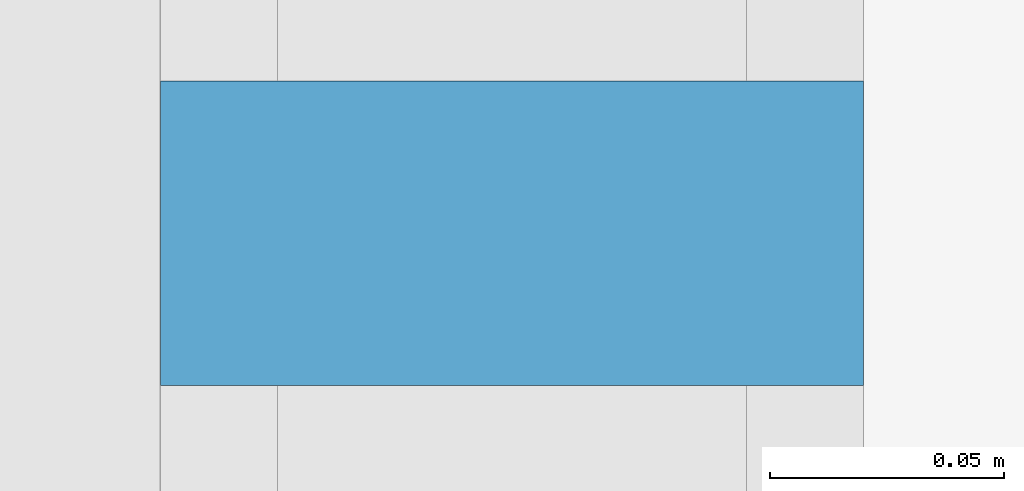
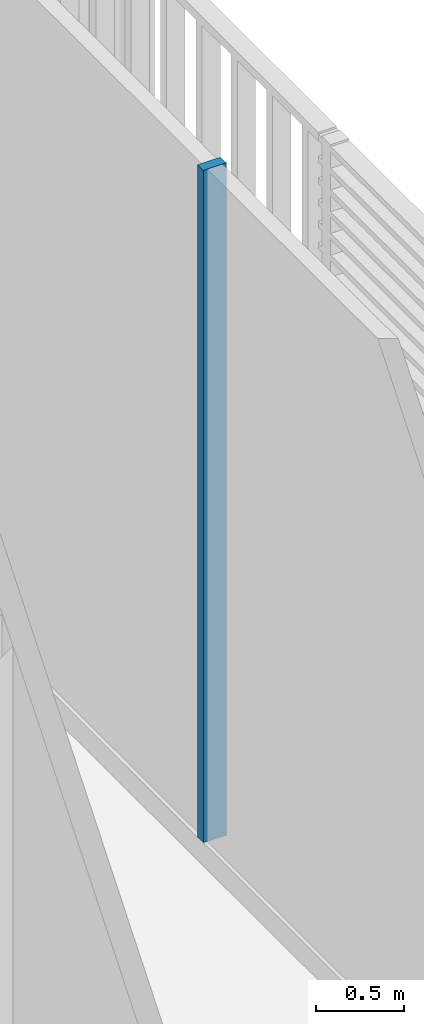
# One storey, part 11 of 22: 1 member, 1 element without a shape of its own.
"""IFC4 building model written with IfcOpenShell, lengths in metres."""

import ifcopenshell
import ifcopenshell.guid

model = None  # the IFC model being written
_history = None  # IfcOwnerHistory: only IFC2X3 demands one
_inside = {}  # id of a spatial element -> (the spatial element, [elements in it])
_under = {}  # id of a project, library or spatial element -> (it, [spatial elements below it])
_declared = {}  # id of a project -> (the project, [libraries it declares])
_typed = {}  # id of a type object -> (the type object, [elements of that type])
_made_of = {}  # id of a material, layer set ... -> (it, [elements and type objects made of it])


def new_model(schema):
    """Start an empty IFC model of exactly this schema.

    Asked for "IFC4X3", IfcOpenShell would pick the latest addendum, in which some entities
    have other attributes; the version numbers below select the first issue.
    IFC2X3 requires an IfcOwnerHistory on every rooted entity: one is made here for all.
    """
    global model, _history
    if schema == "IFC4X3":
        model = ifcopenshell.file(schema_version=(4, 3, 0, 0))
    else:
        model = ifcopenshell.file(schema=schema)
    _inside.clear()
    _under.clear()
    _declared.clear()
    _typed.clear()
    _made_of.clear()
    _history = None
    if model.schema == "IFC2X3":
        org = make("IfcOrganization", Name="unknown")
        user = make(
            "IfcPersonAndOrganization",
            ThePerson=make("IfcPerson", FamilyName="unknown"),
            TheOrganization=org,
        )
        app = make(
            "IfcApplication",
            ApplicationDeveloper=org,
            Version="unknown",
            ApplicationFullName="unknown",
            ApplicationIdentifier="unknown",
        )
        _history = make(
            "IfcOwnerHistory",
            OwningUser=user,
            OwningApplication=app,
            ChangeAction="ADDED",
            CreationDate=0,
        )
    return model


def make(cls, **values):
    """One entity of the class cls with the attributes given. An attribute that is None is left unset."""
    return model.create_entity(
        cls, **{name: value for name, value in values.items() if value is not None}
    )


def rooted(cls, **values):
    """An entity with a GlobalId (a new one), such as an element, a storey or a relation."""
    return make(cls, GlobalId=ifcopenshell.guid.new(), OwnerHistory=_history, **values)


def si_unit(unit_type, name, prefix=None):
    """IfcSIUnit, for example si_unit("LENGTHUNIT", "METRE", prefix="MILLI")."""
    return make("IfcSIUnit", UnitType=unit_type, Prefix=prefix, Name=name)


def assignment(units):
    """IfcUnitAssignment: the units of a project."""
    return None if units is None else make("IfcUnitAssignment", Units=units)


def point(xyz):
    """IfcCartesianPoint."""
    return None if xyz is None else make("IfcCartesianPoint", Coordinates=xyz)


def direction(xyz):
    """IfcDirection."""
    return None if xyz is None else make("IfcDirection", DirectionRatios=xyz)


def frame(location, z_axis=None, x_axis=None):
    """IfcAxis2Placement3D, a coordinate frame: its origin and axes. An axis left out is left unset."""
    return make(
        "IfcAxis2Placement3D",
        Location=point(location),
        Axis=direction(z_axis),
        RefDirection=direction(x_axis),
    )


def frame_2d(location, x_axis=None):
    """IfcAxis2Placement2D, a coordinate frame in the plane: its origin and x axis."""
    return make(
        "IfcAxis2Placement2D", Location=point(location), RefDirection=direction(x_axis)
    )


def origin():
    """The frame at (0, 0, 0) with its axes left unset."""
    return frame((0.0, 0.0, 0.0))


def origin_2d():
    """The frame at (0, 0) in the plane with its x axis left unset."""
    return frame_2d((0.0, 0.0))


def place(relative_to, where):
    """IfcLocalPlacement: puts the frame where relative to a parent placement (None: the world)."""
    return make(
        "IfcLocalPlacement", PlacementRelTo=relative_to, RelativePlacement=where
    )


def context(
    kind, dimensions, precision=None, world=None, true_north=None, identifier=None
):
    """IfcGeometricRepresentationContext, for example the 3D "Model" context."""
    return make(
        "IfcGeometricRepresentationContext",
        ContextIdentifier=identifier,
        ContextType=kind,
        CoordinateSpaceDimension=dimensions,
        Precision=precision,
        WorldCoordinateSystem=world,
        TrueNorth=true_north,
    )


def subcontext(parent, identifier, kind, view, scale=None):
    """IfcGeometricRepresentationSubContext, for example "Body" below "Model"."""
    return make(
        "IfcGeometricRepresentationSubContext",
        ContextIdentifier=identifier,
        ContextType=kind,
        ParentContext=parent,
        TargetScale=scale,
        TargetView=view,
    )


def project(units=None, contexts=None):
    """IfcProject with its units and contexts."""
    return rooted(
        "IfcProject",
        Name="project",
        RepresentationContexts=contexts,
        UnitsInContext=assignment(units),
    )


def spatial(cls, under=None, at=None, **own):
    """A site, building, storey or space (cls), placed at a placement, below another one or the project."""
    s = rooted(cls, ObjectPlacement=at, **own)
    if under is not None:
        _under.setdefault(under.id(), (under, []))[1].append(s)
    return s


def profile(cls, at=None, kind="AREA", **sizes):
    """A parametric profile (cls). Its sizes go by their IFC names, for example OverallWidth=200.0."""
    return make(cls, ProfileType=kind, Position=at, **sizes)


def rectangle(**sizes):
    """IfcRectangleProfileDef."""
    return profile("IfcRectangleProfileDef", **sizes)


def extrude(swept, where, along, depth):
    """IfcExtrudedAreaSolid: the profile swept, set in the frame where, extruded along a direction by depth."""
    return make(
        "IfcExtrudedAreaSolid",
        SweptArea=swept,
        Position=where,
        ExtrudedDirection=direction(along),
        Depth=depth,
    )


def shape(context_of_items, identifier, shape_type, items):
    """IfcShapeRepresentation: the items that make up one representation, for example the "Body"."""
    return make(
        "IfcShapeRepresentation",
        ContextOfItems=context_of_items,
        RepresentationIdentifier=identifier,
        RepresentationType=shape_type,
        Items=items,
    )


def material(Name=None, Category=None):
    """IfcMaterial."""
    return make("IfcMaterial", Name=Name, Category=Category)


def layer(
    of_material, thickness, ventilated=None, Name=None, Category=None, Priority=None
):
    """IfcMaterialLayer: one layer of a wall or slab, of a material (None: an air gap)."""
    return make(
        "IfcMaterialLayer",
        Material=of_material,
        LayerThickness=thickness,
        IsVentilated=ventilated,
        Name=Name,
        Category=Category,
        Priority=Priority,
    )


def layer_set(layers, Name=None):
    """IfcMaterialLayerSet."""
    return make("IfcMaterialLayerSet", MaterialLayers=layers, LayerSetName=Name)


def material_profile(
    of_material, cross_section, Name=None, Category=None, Priority=None
):
    """IfcMaterialProfile: a cross section and its material."""
    return make(
        "IfcMaterialProfile",
        Name=Name,
        Material=of_material,
        Profile=cross_section,
        Priority=Priority,
        Category=Category,
    )


def profile_set(profiles, Name=None, composite=None):
    """IfcMaterialProfileSet."""
    return make(
        "IfcMaterialProfileSet",
        Name=Name,
        MaterialProfiles=profiles,
        CompositeProfile=composite,
    )


def made_of(thing, what):
    """Note that an element or type object is made of a material, layer set ...; save() writes the relation."""
    if what is not None:
        _made_of.setdefault(what.id(), (what, []))[1].append(thing)
    return thing


def type_object(cls, material=None, **own):
    """A type object (cls), such as IfcWallType, which elements share."""
    return made_of(rooted(cls, **own), material)


def element(
    cls,
    number,
    at=None,
    inside=None,
    cuts=None,
    type_object=None,
    material=None,
    context=None,
    identifier="Body",
    shape_type=None,
    held_by="IfcProductDefinitionShape",
    body=None,
    shapes=None,
    **own,
):
    """One element of the class cls, such as IfcWall. Its Tag is "e" and its number.

    at: its placement. inside: the storey or other place that contains it. cuts: it is an
    opening in that element (IfcRelVoidsElement). A single representation is given by context,
    identifier, shape_type and body (its items); several are given by shapes. held_by: the class
    of the entity that holds the representations. save() writes the other relations.
    """
    e = rooted(cls, Tag="e%d" % number, ObjectPlacement=at, **own)
    if body is not None:
        shapes = [shape(context, identifier, shape_type, body)]
    if shapes is not None:
        e.Representation = make(held_by, Representations=shapes)
    if inside is not None:
        _inside.setdefault(inside.id(), (inside, []))[1].append(e)
    if cuts is not None:
        rooted(
            "IfcRelVoidsElement", RelatingBuildingElement=cuts, RelatedOpeningElement=e
        )
    if type_object is not None:
        _typed.setdefault(type_object.id(), (type_object, []))[1].append(e)
    return made_of(e, material)


def aggregate(whole, parts):
    """IfcRelAggregates: a whole, such as a stair, and the parts it consists of."""
    return rooted("IfcRelAggregates", RelatingObject=whole, RelatedObjects=parts)


def save(model, path):
    """Write the relations noted so far, then the file.

    IfcRelAggregates (storeys below a building ...), IfcRelContainedInSpatialStructure (elements
    in a storey), IfcRelDefinesByType, IfcRelAssociatesMaterial and IfcRelDeclares: one each for
    every whole, place, type object, material and project.
    """
    for whole, parts in _under.values():
        aggregate(whole, parts)
    for where, things in _inside.values():
        rooted(
            "IfcRelContainedInSpatialStructure",
            RelatedElements=things,
            RelatingStructure=where,
        )
    for kind, things in _typed.values():
        rooted("IfcRelDefinesByType", RelatedObjects=things, RelatingType=kind)
    for what, things in _made_of.values():
        rooted("IfcRelAssociatesMaterial", RelatedObjects=things, RelatingMaterial=what)
    for by, libraries in _declared.values():
        rooted("IfcRelDeclares", RelatingContext=by, RelatedDefinitions=libraries)
    model.write(path)


model = new_model("IFC4")

# Units and contexts
model_context = context("Model", 3, precision=1e-05, world=origin(), true_north=direction((0.0, 1.0)))
body_context = subcontext(model_context, "Body", "Model", "MODEL_VIEW")
ifc_project = project(units=[si_unit("LENGTHUNIT", "METRE"), si_unit("AREAUNIT", "SQUARE_METRE"), si_unit("VOLUMEUNIT", "CUBIC_METRE"), si_unit("PLANEANGLEUNIT", "RADIAN"), si_unit("MASSUNIT", "GRAM", prefix="KILO")], contexts=[model_context])

# Site, building, storey
site_placement = place(None, origin())
site = spatial("IfcSite", under=ifc_project, at=site_placement, CompositionType="ELEMENT")
building_placement = place(site_placement, origin())
building = spatial("IfcBuilding", under=site, at=building_placement, Name="Millrace Tower", CompositionType="ELEMENT")
storey_placement = place(building_placement, frame((0.0, 0.0, 35.300048828125)))
storey = spatial("IfcBuildingStorey", under=building, at=storey_placement, Name="L08", CompositionType="ELEMENT", Elevation=35.300048828125)

# Curtain wall, member
ifc_material_1 = material(Name="Aluminium and glass", Category="aluminium")
ifc_layer = layer(ifc_material_1, 0.14990234375)
ifc_layer_set = layer_set([ifc_layer], Name="Aluminium and glass")
curtain_wall_type = type_object("IfcCurtainWallType", Name="CW-2 data hall insulated curtain wall", PredefinedType="NOTDEFINED", material=ifc_layer_set)
curtain_wall_placement = place(storey_placement, origin())
curtain_wall = element("IfcCurtainWall", 1, at=curtain_wall_placement, inside=storey, type_object=curtain_wall_type, Name="Curtain wall A-F04 L08", PredefinedType="NOTDEFINED")
ifc_material_2 = material(Name="Aluminium", Category="aluminium")
ifc_material_profile = material_profile(ifc_material_2, rectangle(XDim=0.06494140625, YDim=0.14990234375, at=origin_2d()))
ifc_profile_set = profile_set([ifc_material_profile], Name="Aluminium")
member_type = type_object("IfcMemberType", Name="CW-2 data hall insulated curtain wall mullion", PredefinedType="MULLION", material=ifc_profile_set)
member_placement = place(storey_placement, frame((25.074951171875, 2.382568359375, 0.159912109375), z_axis=(0.0, 0.0, 1.0), x_axis=(0.0, 1.0, 0.0)))
member = element("IfcMember", 2, at=member_placement, type_object=member_type, Name="CW2 mullion A-F04.6", PredefinedType="MULLION", context=body_context, shape_type="SweptSolid", body=[
    extrude(rectangle(XDim=0.06494140625, YDim=0.14990234375, at=origin_2d()), origin(), (0.0, 0.0, 1.0), 4.64013671875),
])
aggregate(curtain_wall, [member])

save(model, "model.ifc")
